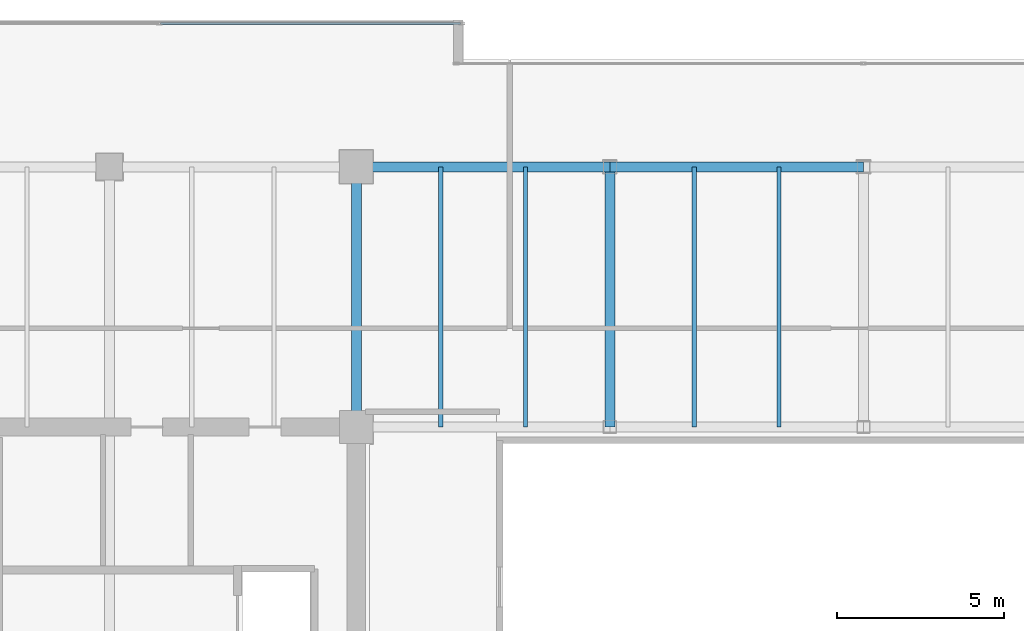
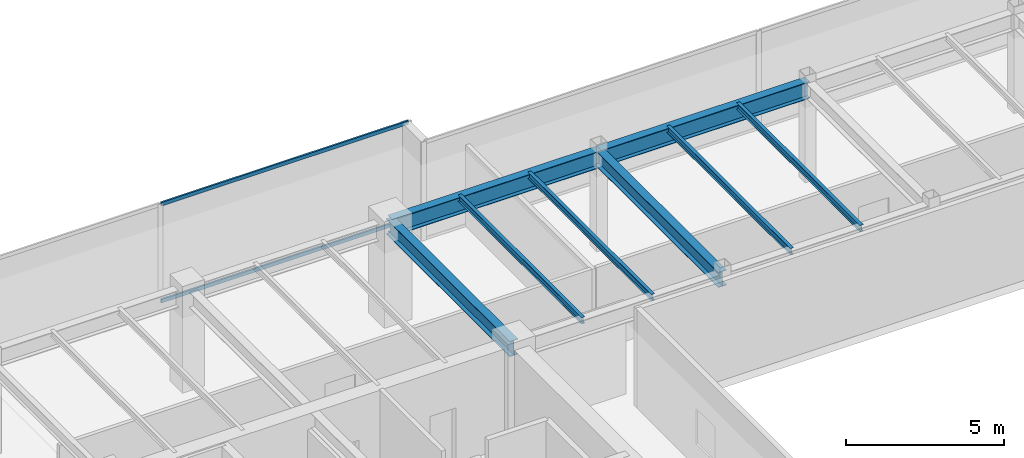
# One storey, part 16 of 36: 8 beams, 2 members, 1 element without a shape of its own.
"""IFC4 building model written with IfcOpenShell, lengths in metres."""

from ifc_helpers import new_model, si_unit, direction, frame, origin, origin_2d, place, context, subcontext, project, spatial, hollow_rectangle, i_section, extrude, source, transform, mapped, material, layer, layer_set, material_profile, profile_set, type_object, type_shapes, element, aggregate, save


model = new_model("IFC4")

# Units and contexts
model_context = context("Model", 3, precision=1e-05, world=origin(), true_north=direction((0.0, 1.0)))
body_context = subcontext(model_context, "Body", "Model", "MODEL_VIEW")
ifc_project = project(units=[si_unit("LENGTHUNIT", "METRE"), si_unit("AREAUNIT", "SQUARE_METRE"), si_unit("VOLUMEUNIT", "CUBIC_METRE"), si_unit("PLANEANGLEUNIT", "RADIAN"), si_unit("MASSUNIT", "GRAM", prefix="KILO")], contexts=[model_context])

# Site, building, storey
site_placement = place(None, origin())
site = spatial("IfcSite", under=ifc_project, at=site_placement, CompositionType="ELEMENT")
building_placement = place(site_placement, origin())
building = spatial("IfcBuilding", under=site, at=building_placement, Name="Haelvirn Gate Laboratories", CompositionType="ELEMENT")
storey_placement = place(building_placement, frame((0.0, 0.0, 262.89990234375)))
storey = spatial("IfcBuildingStorey", under=building, at=storey_placement, Name="L63", CompositionType="ELEMENT", Elevation=262.89990234375)

# Beams
ifc_material_1 = material(Name="Steel SM355", Category="steel")
ifc_material_profile_1 = material_profile(ifc_material_1, i_section(OverallWidth=0.300048828125, OverallDepth=0.587890625, WebThickness=0.011962890625, FlangeThickness=0.02001953125, at=origin_2d()), Name="H-588x300x12x20")
ifc_profile_set_1 = profile_set([ifc_material_profile_1], Name="Steel SM355")
beam_type_1 = type_object("IfcBeamType", Name="BM-G-588", PredefinedType="BEAM", material=ifc_profile_set_1)
shared_shape_1 = source(origin(), body_context, "Body", "SweptSolid", [
    extrude(i_section(OverallWidth=0.300048828125, OverallDepth=0.587890625, WebThickness=0.011962890625, FlangeThickness=0.02001953125, at=origin_2d()), origin(), (0.0, 0.0, 1.0), 7.800048828125),
])
type_shapes(beam_type_1, [shared_shape_1])
for number, where, z_axis, x_axis, name in (
    (1, (22.199951171875, 33.800048828125, 3.506103515625), (0.0, 1.0, 0.0), (-1.0, 0.0, 0.0), "L63 Frame Girder X22.2 (33.8-41.6)"),
    (2, (29.800048828125, 33.800048828125, 3.506103515625), (0.0, 1.0, 0.0), (-1.0, 0.0, 0.0), "L63 Frame Girder X29.8 (33.8-41.6)"),
):
    element("IfcBeam", number, at=place(storey_placement, frame(where, z_axis=z_axis, x_axis=x_axis)), inside=storey, type_object=beam_type_1, Name=name, PredefinedType="BEAM", context=body_context, shape_type="MappedRepresentation", body=[
        mapped(shared_shape_1, transform((0.0, 0.0, 0.0), scale=1.0)),
    ])
ifc_material_profile_2 = material_profile(ifc_material_1, i_section(OverallWidth=0.300048828125, OverallDepth=0.64990234375, WebThickness=0.012939453125, FlangeThickness=0.02197265625, at=origin_2d()), Name="H-650x300x13x22")
ifc_profile_set_2 = profile_set([ifc_material_profile_2], Name="Steel SM355")
beam_type_2 = type_object("IfcBeamType", Name="BM-G-650", PredefinedType="BEAM", material=ifc_profile_set_2)
shared_shape_2 = source(origin(), body_context, "Body", "SweptSolid", [
    extrude(i_section(OverallWidth=0.300048828125, OverallDepth=0.64990234375, WebThickness=0.012939453125, FlangeThickness=0.02197265625, at=origin_2d()), origin(), (0.0, 0.0, 1.0), 7.60009765625),
])
beam_1_placement = place(storey_placement, frame((22.199951171875, 41.60009765625, 3.47509765625), z_axis=(1.0, 0.0, 0.0), x_axis=(0.0, 1.0, 0.0)))
element("IfcBeam", 3, at=beam_1_placement, inside=storey, type_object=beam_type_2, Name="L63 Primary Girder Y41.6 (22.2-29.8)", PredefinedType="BEAM", context=body_context, shape_type="MappedRepresentation", body=[
    mapped(shared_shape_2, transform((0.0, 0.0, 0.0), scale=1.0)),
])
shared_shape_3 = source(origin(), body_context, "Body", "SweptSolid", [
    extrude(i_section(OverallWidth=0.300048828125, OverallDepth=0.64990234375, WebThickness=0.012939453125, FlangeThickness=0.02197265625, at=origin_2d()), origin(), (0.0, 0.0, 1.0), 7.599853515625),
])
type_shapes(beam_type_2, [shared_shape_2, shared_shape_3])
beam_2_placement = place(storey_placement, frame((29.800048828125, 41.60009765625, 3.47509765625), z_axis=(1.0, 0.0, 0.0), x_axis=(0.0, 1.0, 0.0)))
element("IfcBeam", 4, at=beam_2_placement, inside=storey, type_object=beam_type_2, Name="L63 Primary Girder Y41.6 (29.8-37.4)", PredefinedType="BEAM", context=body_context, shape_type="MappedRepresentation", body=[
    mapped(shared_shape_3, transform((0.0, 0.0, 0.0), scale=1.0)),
])
ifc_material_profile_3 = material_profile(ifc_material_1, i_section(OverallWidth=0.125, OverallDepth=0.25, WebThickness=0.006103515625, FlangeThickness=0.009033203125, at=origin_2d()), Name="H-250x125x6x9")
ifc_profile_set_3 = profile_set([ifc_material_profile_3], Name="Steel SM355")
beam_type_3 = type_object("IfcBeamType", Name="BM-J-250", PredefinedType="JOIST", material=ifc_profile_set_3)
shared_shape_4 = source(origin(), body_context, "Body", "SweptSolid", [
    extrude(i_section(OverallWidth=0.125, OverallDepth=0.25, WebThickness=0.006103515625, FlangeThickness=0.009033203125, at=origin_2d()), origin(), (0.0, 0.0, 1.0), 7.800048828125),
])
type_shapes(beam_type_3, [shared_shape_4])
for number, where, z_axis, x_axis, name in (
    (5, (24.72998046875, 33.800048828125, 3.675048828125), (0.0, 1.0, 0.0), (-1.0, 0.0, 0.0), "L63 Composite Lab Joist North X24.73"),
    (6, (27.27001953125, 33.800048828125, 3.675048828125), (0.0, 1.0, 0.0), (-1.0, 0.0, 0.0), "L63 Composite Lab Joist North X27.27"),
    (7, (32.330078125, 33.800048828125, 3.675048828125), (0.0, 1.0, 0.0), (-1.0, 0.0, 0.0), "L63 Composite Lab Joist North X32.33"),
    (8, (34.8701171875, 33.800048828125, 3.675048828125), (0.0, 1.0, 0.0), (-1.0, 0.0, 0.0), "L63 Composite Lab Joist North X34.87"),
):
    element("IfcBeam", number, at=place(storey_placement, frame(where, z_axis=z_axis, x_axis=x_axis)), inside=storey, type_object=beam_type_3, Name=name, PredefinedType="JOIST", context=body_context, shape_type="MappedRepresentation", body=[
        mapped(shared_shape_4, transform((0.0, 0.0, 0.0), scale=1.0)),
    ])

# Curtain wall, members
ifc_material_2 = material(Name="Anodised bronze unitised aluminium & triple low-E glass", Category="aluminium")
ifc_layer = layer(ifc_material_2, 0.176025390625, Name="CW-SYS-4")
ifc_layer_set = layer_set([ifc_layer], Name="Anodised bronze unitised aluminium & triple low-E glass")
curtain_wall_type = type_object("IfcCurtainWallType", Name="CW-SYS-4", PredefinedType="NOTDEFINED", material=ifc_layer_set)
curtain_wall_placement = place(storey_placement, origin())
curtain_wall = element("IfcCurtainWall", 9, at=curtain_wall_placement, inside=storey, type_object=curtain_wall_type, Name="L63 Unitised Curtain Wall CW-L63-P0-E14-1", PredefinedType="NOTDEFINED")
ifc_material_3 = material(Name="Extruded aluminium 6063-T6 (anodised bronze)", Category="aluminium")
ifc_material_profile_4 = material_profile(ifc_material_3, hollow_rectangle(XDim=0.06494140625, YDim=0.139892578125, WallThickness=0.00390625, at=origin_2d()), Name="CWT-140x65x4")
ifc_profile_set_4 = profile_set([ifc_material_profile_4], Name="Extruded aluminium 6063-T6 (anodised bronze)")
member_type = type_object("IfcMemberType", Name="CWT-T140", PredefinedType="USERDEFINED", material=ifc_profile_set_4)
shared_shape_5 = source(origin(), body_context, "Body", "SweptSolid", [
    extrude(hollow_rectangle(XDim=0.06494140625, YDim=0.139892578125, WallThickness=0.00390625, at=origin_2d()), origin(), (0.0, 0.0, 1.0), 8.9951171875),
])
type_shapes(member_type, [shared_shape_5])
member_1_placement = place(storey_placement, frame((16.3349609375, 45.89990234375, 0.03271484375), z_axis=(1.0, 0.0, 0.0), x_axis=(0.0, 1.0, 0.0)))
member_1 = element("IfcMember", 10, at=member_1_placement, type_object=member_type, Name="CW4 transom 2.1", ObjectType="TRANSOM", PredefinedType="USERDEFINED", context=body_context, shape_type="MappedRepresentation", body=[
    mapped(shared_shape_5, transform((0.0, 0.0, 0.0), scale=1.0)),
])
member_2_placement = place(storey_placement, frame((16.3349609375, 45.89990234375, 3.767578125), z_axis=(1.0, 0.0, 0.0), x_axis=(0.0, 1.0, 0.0)))
member_2 = element("IfcMember", 11, at=member_2_placement, type_object=member_type, Name="CW4 transom 2.2", ObjectType="TRANSOM", PredefinedType="USERDEFINED", context=body_context, shape_type="MappedRepresentation", body=[
    mapped(shared_shape_5, transform((0.0, 0.0, 0.0), scale=1.0)),
])
aggregate(curtain_wall, [member_1, member_2])

save(model, "model.ifc")
